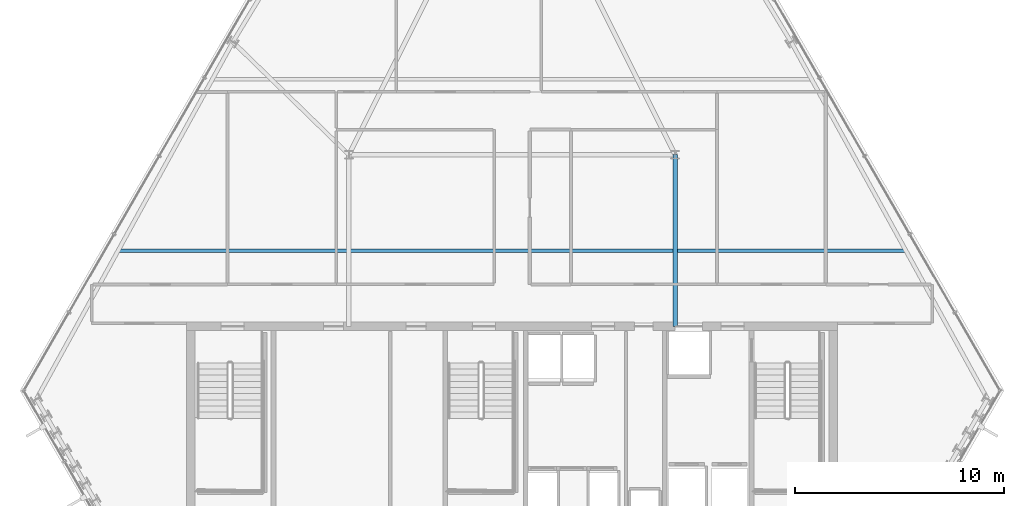
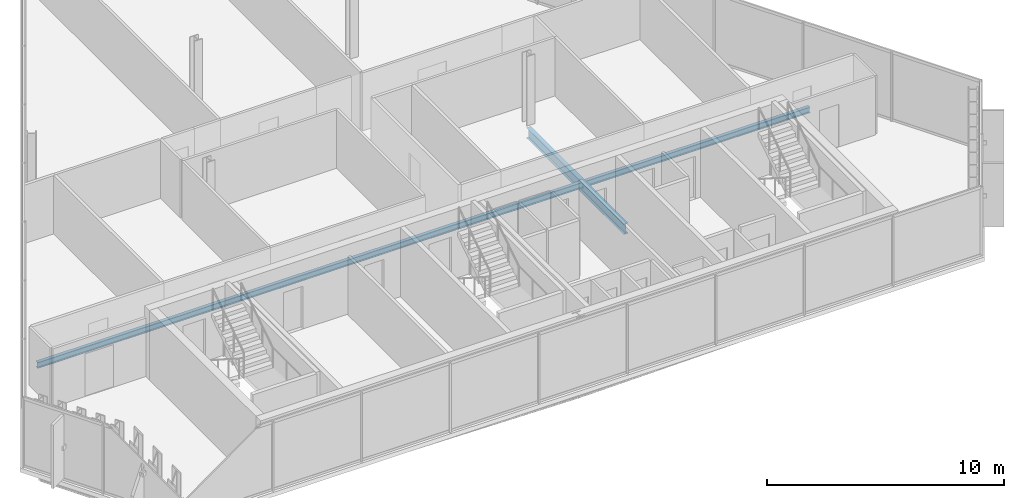
# One storey, part 9 of 30: 2 beams.
"""IFC4 building model written with IfcOpenShell, lengths in metres."""

from ifc_helpers import new_model, si_unit, direction, frame, origin, origin_2d, place, context, subcontext, project, spatial, i_section, extrude, material, material_profile, profile_set, type_object, element, save


model = new_model("IFC4")

# Units and contexts
model_context = context("Model", 3, precision=1e-05, world=origin(), true_north=direction((0.0, 1.0)))
body_context = subcontext(model_context, "Body", "Model", "MODEL_VIEW")
ifc_project = project(units=[si_unit("LENGTHUNIT", "METRE"), si_unit("AREAUNIT", "SQUARE_METRE"), si_unit("VOLUMEUNIT", "CUBIC_METRE"), si_unit("PLANEANGLEUNIT", "RADIAN"), si_unit("MASSUNIT", "GRAM", prefix="KILO")], contexts=[model_context])

# Site, building, storey
site_placement = place(None, origin())
site = spatial("IfcSite", under=ifc_project, at=site_placement, CompositionType="ELEMENT")
building_placement = place(site_placement, origin())
building = spatial("IfcBuilding", under=site, at=building_placement, Name="Ndaravel Arena Tower", CompositionType="ELEMENT")
storey_placement = place(building_placement, frame((0.0, 0.0, 221.800048828125)))
storey = spatial("IfcBuildingStorey", under=building, at=storey_placement, Name="L53", CompositionType="ELEMENT", Elevation=221.800048828125)

# Beams
ifc_material_1 = material(Name="Steel S355", Category="steel")
ifc_material_profile_1 = material_profile(ifc_material_1, i_section(OverallWidth=0.210693359375, OverallDepth=0.53955078125, WebThickness=0.01171875, FlangeThickness=0.018798828125, FilletRadius=0.0126953125, at=origin_2d()), Name="UB 533x210x109")
ifc_profile_set_1 = profile_set([ifc_material_profile_1], Name="Steel S355")
beam_type_1 = type_object("IfcBeamType", Name="BM-GIRD-UB533", PredefinedType="BEAM", material=ifc_profile_set_1)
beam_1_placement = place(storey_placement, frame((49.800048828125, 14.97998046875, -0.48974609375), z_axis=(0.0, 1.0, 0.0), x_axis=(-1.0, 0.0, 0.0)))
element("IfcBeam", 1, at=beam_1_placement, inside=storey, type_object=beam_type_1, Name="L53 Spine Link Girder SLG-02", PredefinedType="BEAM", context=body_context, shape_type="SweptSolid", body=[
    extrude(i_section(OverallWidth=0.210693359375, OverallDepth=0.53955078125, WebThickness=0.01171875, FlangeThickness=0.018798828125, FilletRadius=0.0126953125, at=origin_2d()), origin(), (0.0, 0.0, 1.0), 8.219970703125),
])
ifc_material_2 = material(Name="Steel S355", Category="steel")
ifc_material_profile_2 = material_profile(ifc_material_2, i_section(OverallWidth=0.165771484375, OverallDepth=0.306640625, WebThickness=0.006591796875, FlangeThickness=0.01171875, FilletRadius=0.0087890625, at=origin_2d()), Name="UB 305x165x46")
ifc_profile_set_2 = profile_set([ifc_material_profile_2], Name="Steel S355")
beam_type_2 = type_object("IfcBeamType", Name="BM-JOIST-UB305", PredefinedType="JOIST", material=ifc_profile_set_2)
beam_2_placement = place(storey_placement, frame((23.1640625, 18.60009765625, -0.373291015625), z_axis=(1.0, 0.0, 0.0), x_axis=(0.0, 1.0, 0.0)))
element("IfcBeam", 2, at=beam_2_placement, inside=storey, type_object=beam_type_2, Name="L53 Composite Floor Joist FJ-01", PredefinedType="JOIST", context=body_context, shape_type="SweptSolid", body=[
    extrude(i_section(OverallWidth=0.165771484375, OverallDepth=0.306640625, WebThickness=0.006591796875, FlangeThickness=0.01171875, FilletRadius=0.0087890625, at=origin_2d()), origin(), (0.0, 0.0, 1.0), 37.671875),
])

save(model, "model.ifc")
